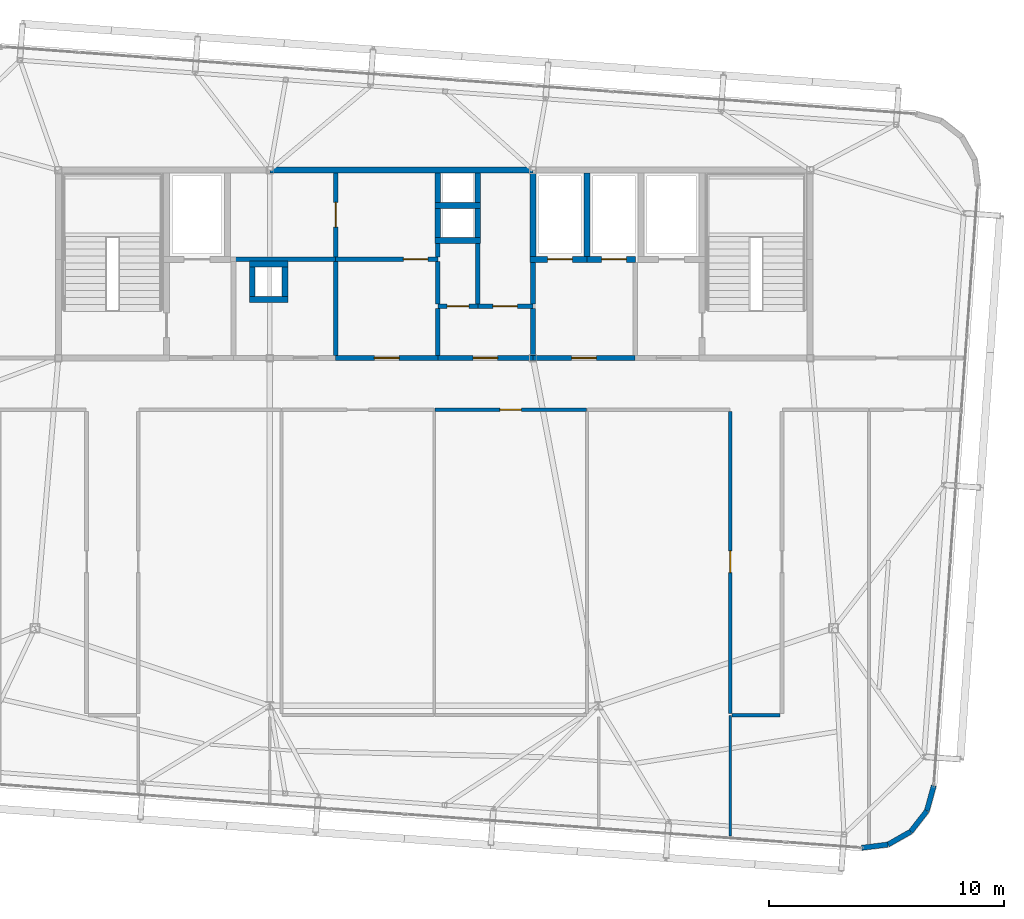
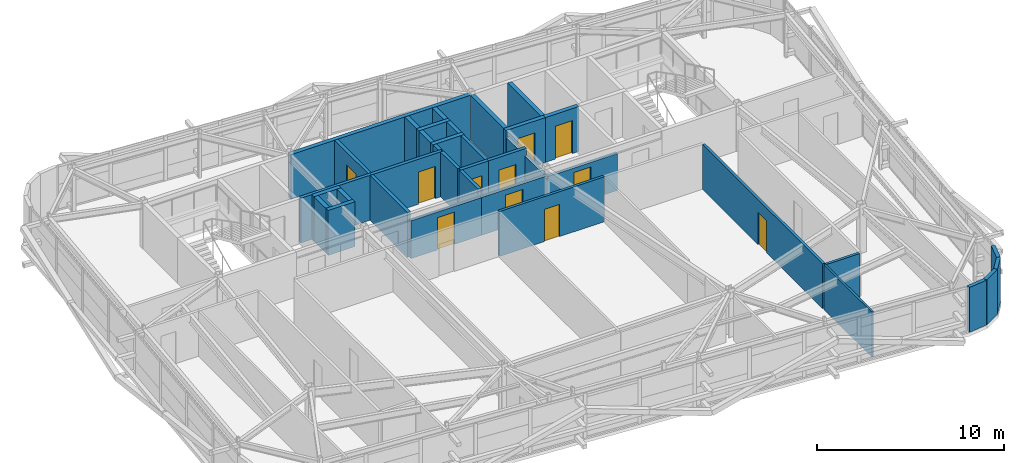
# One storey, part 39 of 42: 38 walls, 11 doors, 11 openings.
"""IFC4 building model written with IfcOpenShell, lengths in metres."""

import ifcopenshell
import ifcopenshell.guid

model = None  # the IFC model being written
_history = None  # IfcOwnerHistory: only IFC2X3 demands one
_inside = {}  # id of a spatial element -> (the spatial element, [elements in it])
_under = {}  # id of a project, library or spatial element -> (it, [spatial elements below it])
_declared = {}  # id of a project -> (the project, [libraries it declares])
_typed = {}  # id of a type object -> (the type object, [elements of that type])
_made_of = {}  # id of a material, layer set ... -> (it, [elements and type objects made of it])


def new_model(schema):
    """Start an empty IFC model of exactly this schema.

    Asked for "IFC4X3", IfcOpenShell would pick the latest addendum, in which some entities
    have other attributes; the version numbers below select the first issue.
    IFC2X3 requires an IfcOwnerHistory on every rooted entity: one is made here for all.
    """
    global model, _history
    if schema == "IFC4X3":
        model = ifcopenshell.file(schema_version=(4, 3, 0, 0))
    else:
        model = ifcopenshell.file(schema=schema)
    _inside.clear()
    _under.clear()
    _declared.clear()
    _typed.clear()
    _made_of.clear()
    _history = None
    if model.schema == "IFC2X3":
        org = make("IfcOrganization", Name="unknown")
        user = make(
            "IfcPersonAndOrganization",
            ThePerson=make("IfcPerson", FamilyName="unknown"),
            TheOrganization=org,
        )
        app = make(
            "IfcApplication",
            ApplicationDeveloper=org,
            Version="unknown",
            ApplicationFullName="unknown",
            ApplicationIdentifier="unknown",
        )
        _history = make(
            "IfcOwnerHistory",
            OwningUser=user,
            OwningApplication=app,
            ChangeAction="ADDED",
            CreationDate=0,
        )
    return model


def make(cls, **values):
    """One entity of the class cls with the attributes given. An attribute that is None is left unset."""
    return model.create_entity(
        cls, **{name: value for name, value in values.items() if value is not None}
    )


def rooted(cls, **values):
    """An entity with a GlobalId (a new one), such as an element, a storey or a relation."""
    return make(cls, GlobalId=ifcopenshell.guid.new(), OwnerHistory=_history, **values)


def si_unit(unit_type, name, prefix=None):
    """IfcSIUnit, for example si_unit("LENGTHUNIT", "METRE", prefix="MILLI")."""
    return make("IfcSIUnit", UnitType=unit_type, Prefix=prefix, Name=name)


def assignment(units):
    """IfcUnitAssignment: the units of a project."""
    return None if units is None else make("IfcUnitAssignment", Units=units)


def point(xyz):
    """IfcCartesianPoint."""
    return None if xyz is None else make("IfcCartesianPoint", Coordinates=xyz)


def direction(xyz):
    """IfcDirection."""
    return None if xyz is None else make("IfcDirection", DirectionRatios=xyz)


def frame(location, z_axis=None, x_axis=None):
    """IfcAxis2Placement3D, a coordinate frame: its origin and axes. An axis left out is left unset."""
    return make(
        "IfcAxis2Placement3D",
        Location=point(location),
        Axis=direction(z_axis),
        RefDirection=direction(x_axis),
    )


def frame_2d(location, x_axis=None):
    """IfcAxis2Placement2D, a coordinate frame in the plane: its origin and x axis."""
    return make(
        "IfcAxis2Placement2D", Location=point(location), RefDirection=direction(x_axis)
    )


def origin():
    """The frame at (0, 0, 0) with its axes left unset."""
    return frame((0.0, 0.0, 0.0))


def place(relative_to, where):
    """IfcLocalPlacement: puts the frame where relative to a parent placement (None: the world)."""
    return make(
        "IfcLocalPlacement", PlacementRelTo=relative_to, RelativePlacement=where
    )


def context(
    kind, dimensions, precision=None, world=None, true_north=None, identifier=None
):
    """IfcGeometricRepresentationContext, for example the 3D "Model" context."""
    return make(
        "IfcGeometricRepresentationContext",
        ContextIdentifier=identifier,
        ContextType=kind,
        CoordinateSpaceDimension=dimensions,
        Precision=precision,
        WorldCoordinateSystem=world,
        TrueNorth=true_north,
    )


def subcontext(parent, identifier, kind, view, scale=None):
    """IfcGeometricRepresentationSubContext, for example "Body" below "Model"."""
    return make(
        "IfcGeometricRepresentationSubContext",
        ContextIdentifier=identifier,
        ContextType=kind,
        ParentContext=parent,
        TargetScale=scale,
        TargetView=view,
    )


def project(units=None, contexts=None):
    """IfcProject with its units and contexts."""
    return rooted(
        "IfcProject",
        Name="project",
        RepresentationContexts=contexts,
        UnitsInContext=assignment(units),
    )


def spatial(cls, under=None, at=None, **own):
    """A site, building, storey or space (cls), placed at a placement, below another one or the project."""
    s = rooted(cls, ObjectPlacement=at, **own)
    if under is not None:
        _under.setdefault(under.id(), (under, []))[1].append(s)
    return s


def profile(cls, at=None, kind="AREA", **sizes):
    """A parametric profile (cls). Its sizes go by their IFC names, for example OverallWidth=200.0."""
    return make(cls, ProfileType=kind, Position=at, **sizes)


def rectangle(**sizes):
    """IfcRectangleProfileDef."""
    return profile("IfcRectangleProfileDef", **sizes)


def extrude(swept, where, along, depth):
    """IfcExtrudedAreaSolid: the profile swept, set in the frame where, extruded along a direction by depth."""
    return make(
        "IfcExtrudedAreaSolid",
        SweptArea=swept,
        Position=where,
        ExtrudedDirection=direction(along),
        Depth=depth,
    )


def shape(context_of_items, identifier, shape_type, items):
    """IfcShapeRepresentation: the items that make up one representation, for example the "Body"."""
    return make(
        "IfcShapeRepresentation",
        ContextOfItems=context_of_items,
        RepresentationIdentifier=identifier,
        RepresentationType=shape_type,
        Items=items,
    )


def source(mapping_origin, context_of_items, identifier, shape_type, items):
    """IfcRepresentationMap: a shape defined once, which mapped items show again and again."""
    return make(
        "IfcRepresentationMap",
        MappingOrigin=mapping_origin,
        MappedRepresentation=shape(context_of_items, identifier, shape_type, items),
    )


def transform(
    local_origin,
    x_axis=None,
    y_axis=None,
    z_axis=None,
    scale=None,
    scale2=None,
    scale3=None,
    uniform=True,
):
    """IfcCartesianTransformationOperator3D, or its non-uniform kind. x_axis, y_axis, z_axis: its Axis1, 2, 3."""
    if uniform:
        return make(
            "IfcCartesianTransformationOperator3D",
            Axis1=direction(x_axis),
            Axis2=direction(y_axis),
            LocalOrigin=point(local_origin),
            Scale=scale,
            Axis3=direction(z_axis),
        )
    return make(
        "IfcCartesianTransformationOperator3DnonUniform",
        Axis1=direction(x_axis),
        Axis2=direction(y_axis),
        LocalOrigin=point(local_origin),
        Scale=scale,
        Axis3=direction(z_axis),
        Scale2=scale2,
        Scale3=scale3,
    )


def mapped(mapping_source, mapping_target):
    """IfcMappedItem: shows the shape of a source again, moved by a transform."""
    return make(
        "IfcMappedItem", MappingSource=mapping_source, MappingTarget=mapping_target
    )


def material(Name=None, Category=None):
    """IfcMaterial."""
    return make("IfcMaterial", Name=Name, Category=Category)


def layer(
    of_material, thickness, ventilated=None, Name=None, Category=None, Priority=None
):
    """IfcMaterialLayer: one layer of a wall or slab, of a material (None: an air gap)."""
    return make(
        "IfcMaterialLayer",
        Material=of_material,
        LayerThickness=thickness,
        IsVentilated=ventilated,
        Name=Name,
        Category=Category,
        Priority=Priority,
    )


def layer_set(layers, Name=None):
    """IfcMaterialLayerSet."""
    return make("IfcMaterialLayerSet", MaterialLayers=layers, LayerSetName=Name)


def made_of(thing, what):
    """Note that an element or type object is made of a material, layer set ...; save() writes the relation."""
    if what is not None:
        _made_of.setdefault(what.id(), (what, []))[1].append(thing)
    return thing


def type_object(cls, material=None, **own):
    """A type object (cls), such as IfcWallType, which elements share."""
    return made_of(rooted(cls, **own), material)


def element(
    cls,
    number,
    at=None,
    inside=None,
    cuts=None,
    type_object=None,
    material=None,
    context=None,
    identifier="Body",
    shape_type=None,
    held_by="IfcProductDefinitionShape",
    body=None,
    shapes=None,
    **own,
):
    """One element of the class cls, such as IfcWall. Its Tag is "e" and its number.

    at: its placement. inside: the storey or other place that contains it. cuts: it is an
    opening in that element (IfcRelVoidsElement). A single representation is given by context,
    identifier, shape_type and body (its items); several are given by shapes. held_by: the class
    of the entity that holds the representations. save() writes the other relations.
    """
    e = rooted(cls, Tag="e%d" % number, ObjectPlacement=at, **own)
    if body is not None:
        shapes = [shape(context, identifier, shape_type, body)]
    if shapes is not None:
        e.Representation = make(held_by, Representations=shapes)
    if inside is not None:
        _inside.setdefault(inside.id(), (inside, []))[1].append(e)
    if cuts is not None:
        rooted(
            "IfcRelVoidsElement", RelatingBuildingElement=cuts, RelatedOpeningElement=e
        )
    if type_object is not None:
        _typed.setdefault(type_object.id(), (type_object, []))[1].append(e)
    return made_of(e, material)


def fill(opening, filler):
    """IfcRelFillsElement: the door or window that sits in an opening."""
    return rooted(
        "IfcRelFillsElement",
        RelatingOpeningElement=opening,
        RelatedBuildingElement=filler,
    )


def aggregate(whole, parts):
    """IfcRelAggregates: a whole, such as a stair, and the parts it consists of."""
    return rooted("IfcRelAggregates", RelatingObject=whole, RelatedObjects=parts)


def save(model, path):
    """Write the relations noted so far, then the file.

    IfcRelAggregates (storeys below a building ...), IfcRelContainedInSpatialStructure (elements
    in a storey), IfcRelDefinesByType, IfcRelAssociatesMaterial and IfcRelDeclares: one each for
    every whole, place, type object, material and project.
    """
    for whole, parts in _under.values():
        aggregate(whole, parts)
    for where, things in _inside.values():
        rooted(
            "IfcRelContainedInSpatialStructure",
            RelatedElements=things,
            RelatingStructure=where,
        )
    for kind, things in _typed.values():
        rooted("IfcRelDefinesByType", RelatedObjects=things, RelatingType=kind)
    for what, things in _made_of.values():
        rooted("IfcRelAssociatesMaterial", RelatedObjects=things, RelatingMaterial=what)
    for by, libraries in _declared.values():
        rooted("IfcRelDeclares", RelatingContext=by, RelatedDefinitions=libraries)
    model.write(path)


model = new_model("IFC4")

# Units and contexts
model_context = context("Model", 3, precision=1e-05, world=origin(), true_north=direction((0.0, 1.0)))
body_context = subcontext(model_context, "Body", "Model", "MODEL_VIEW")
ifc_project = project(units=[si_unit("LENGTHUNIT", "METRE"), si_unit("AREAUNIT", "SQUARE_METRE"), si_unit("VOLUMEUNIT", "CUBIC_METRE"), si_unit("PLANEANGLEUNIT", "RADIAN"), si_unit("MASSUNIT", "GRAM", prefix="KILO")], contexts=[model_context])

# Site, building, storey
site_placement = place(None, origin())
site = spatial("IfcSite", under=ifc_project, at=site_placement, CompositionType="ELEMENT")
building_placement = place(site_placement, origin())
building = spatial("IfcBuilding", under=site, at=building_placement, Name="Taldren Reach Tower", CompositionType="ELEMENT")
storey_placement = place(building_placement, frame((0.0, 0.0, 214.550048828125)))
storey = spatial("IfcBuildingStorey", under=building, at=storey_placement, Name="L65", CompositionType="ELEMENT", Elevation=214.550048828125)

# Walls
ifc_material_1 = material(Name="Pale Champagne Anodised Aluminium Cladding", Category="aluminium")
ifc_layer_1 = layer(ifc_material_1, 0.04, Name="Pale Champagne Anodised Aluminium Cladding", Category="aluminium")
ifc_material_2 = material(Name="Mineral Wool Acoustic Insulation", Category="insulation")
ifc_layer_2 = layer(ifc_material_2, 0.06, Name="Mineral Wool Acoustic Insulation", Category="insulation")
ifc_material_3 = material(Name="Steel Gr 350 (C350L0)", Category="steel")
ifc_layer_3 = layer(ifc_material_3, 0.12, Name="Steel Gr 350 (C350L0)", Category="steel")
ifc_layer_set_1 = layer_set([ifc_layer_1, ifc_layer_2, ifc_layer_3], Name="Pale Champagne Aluminium Cladding and Steel Gr 350 Stud Framing")
wall_type_1 = type_object("IfcWallType", Name="EW-CRN-220", PredefinedType="SOLIDWALL", material=ifc_layer_set_1)
shared_shape_1 = source(origin(), body_context, "Body", "SweptSolid", [
    extrude(rectangle(XDim=1.115966796875, YDim=0.219970703125, at=frame_2d((0.55810546875, 0.0))), origin(), (0.0, 0.0, 1.0), 2.929931640625),
])
for number, where, z_axis, x_axis, name in (
    (1, (53.20068359375, 3.15380859375, 0.0), (0.0, 0.0, 1.0), (0.992438604032, 0.122742076028, 0.0), "Rounded-corner pale-metal facade wall L65-SE1"),
    (2, (55.279052734375, 3.84130859375, 0.0), (0.0, 0.0, 1.0), (0.615015475096, 0.788515038152, 0.0), "Rounded-corner pale-metal facade wall L65-SE3"),
    (3, (55.96533203125, 4.72119140625, 0.0), (0.0, 0.0, 1.0), (0.26624444942, 0.963905541613, 0.0), "Rounded-corner pale-metal facade wall L65-SE4"),
):
    element("IfcWall", number, at=place(storey_placement, frame(where, z_axis=z_axis, x_axis=x_axis)), inside=storey, type_object=wall_type_1, Name=name, PredefinedType="SOLIDWALL", context=body_context, shape_type="MappedRepresentation", body=[
        mapped(shared_shape_1, transform((0.0, 0.0, 0.0), scale=1.0)),
    ])
shared_shape_2 = source(origin(), body_context, "Body", "SweptSolid", [
    extrude(rectangle(XDim=1.1162109375, YDim=0.219970703125, at=frame_2d((0.55810546875, 0.0))), origin(), (0.0, 0.0, 1.0), 2.929931640625),
])
wall_1_placement = place(storey_placement, frame((54.30810546875, 3.290771484375, 0.0), z_axis=(0.0, 0.0, 1.0), x_axis=(0.869893934693, 0.49323882895, 0.0)))
element("IfcWall", 4, at=wall_1_placement, inside=storey, type_object=wall_type_1, Name="Rounded-corner pale-metal facade wall L65-SE2", PredefinedType="SOLIDWALL", context=body_context, shape_type="MappedRepresentation", body=[
    mapped(shared_shape_2, transform((0.0, 0.0, 0.0), scale=1.0)),
])

# Wall, opening, door
ifc_material_4 = material(Name="Concrete S50 (50 MPa)", Category="concrete")
ifc_layer_4 = layer(ifc_material_4, 0.199951171875)
ifc_layer_set_2 = layer_set([ifc_layer_4], Name="Concrete S50 (50 MPa)")
wall_type_2 = type_object("IfcWallType", Name="IW-CORE-200", PredefinedType="SOLIDWALL", material=ifc_layer_set_2)
shared_shape_3 = source(origin(), body_context, "Body", "SweptSolid", [
    extrude(rectangle(XDim=4.35009765625, YDim=0.199951171875, at=frame_2d((2.175048828125, 0.0))), origin(), (0.0, 0.0, 1.0), 2.39697265625),
])
wall_2_placement = place(storey_placement, frame((43.550048828125, 24.0, 0.0), z_axis=(0.0, 0.0, 1.0), x_axis=(-1.0, 0.0, 0.0)))
wall_2 = element("IfcWall", 5, at=wall_2_placement, inside=storey, type_object=wall_type_2, Name="Rear Core Shear Wall W-INT-L65-031", PredefinedType="SOLIDWALL", context=body_context, shape_type="MappedRepresentation", body=[
    mapped(shared_shape_3, transform((0.0, 0.0, 0.0), scale=1.0)),
])
shared_shape_4 = source(origin(), body_context, "Body", "SweptSolid", [
    extrude(rectangle(XDim=1.050048828125, YDim=2.10009765625, at=frame_2d((0.52490234375, 1.050048828125))), frame((0.0, 0.10986328125, 0.0), z_axis=(0.0, -1.0, 0.0), x_axis=(1.0, 0.0, 0.0)), (0.0, 0.0, 1.0), 0.219970703125),
])
opening_1_placement = place(wall_2_placement, frame((1.64990234375, 0.0, 0.0)))
opening_1 = element("IfcOpeningElement", 6, at=opening_1_placement, cuts=wall_2, Name="Opening DF-105", PredefinedType="OPENING", context=body_context, shape_type="MappedRepresentation", body=[
    mapped(shared_shape_4, transform((0.0, 0.0, 0.0), scale=1.0)),
])
ifc_material_5 = material(Name="Fire-Rated Care and Stair Exit Door")
door_type_1 = type_object("IfcDoorType", Name="ID-FIRE-105", OperationType="NOTDEFINED", PredefinedType="DOOR", material=ifc_material_5)
shared_shape_5 = source(origin(), body_context, "Body", "SweptSolid", [
    extrude(rectangle(XDim=1.050048828125, YDim=2.10009765625, at=frame_2d((0.52490234375, 1.050048828125))), frame((0.0, 0.02490234375, 0.0), z_axis=(0.0, -1.0, 0.0), x_axis=(1.0, 0.0, 0.0)), (0.0, 0.0, 1.0), 0.050048828125),
])
door_1_placement = place(opening_1_placement, frame((1.050048828125, 0.0, 0.0), z_axis=(0.0, 0.0, 1.0), x_axis=(-1.0, 0.0, 0.0)))
door_1 = element("IfcDoor", 7, at=door_1_placement, inside=storey, type_object=door_type_1, Name="Interior Door DR-L65-005", OperationType="SINGLE_SWING_LEFT", OverallHeight=2.10009765625, OverallWidth=1.050048828125, PredefinedType="DOOR", context=body_context, shape_type="MappedRepresentation", body=[
    mapped(shared_shape_5, transform((0.0, 0.0, 0.0), scale=1.0)),
])
fill(opening_1, door_1)

# Walls
shared_shape_6 = source(origin(), body_context, "Body", "SweptSolid", [
    extrude(rectangle(XDim=2.0, YDim=0.199951171875, at=frame_2d((1.0, 0.0))), origin(), (0.0, 0.0, 1.0), 2.469970703125),
])
wall_3_placement = place(storey_placement, frame((39.199951171875, 24.10009765625, 0.0), z_axis=(0.0, 0.0, 1.0), x_axis=(0.0, 1.0, 0.0)))
element("IfcWall", 8, at=wall_3_placement, inside=storey, type_object=wall_type_2, Name="Rear Core Shear Wall W-INT-L65-029", PredefinedType="SOLIDWALL", context=body_context, shape_type="MappedRepresentation", body=[
    mapped(shared_shape_6, transform((0.0, 0.0, 0.0), scale=1.0)),
])
ifc_material_6 = material(Name="Fire-Rated Acoustic Plasterboard Stud Wall", Category="gypsum")
ifc_layer_5 = layer(ifc_material_6, 0.159912109375)
ifc_layer_set_3 = layer_set([ifc_layer_5], Name="Fire-Rated Acoustic Plasterboard Stud Wall")
wall_type_3 = type_object("IfcWallType", Name="IW-FIRE-160", PredefinedType="PARTITIONING", material=ifc_layer_set_3)
shared_shape_7 = source(origin(), body_context, "Body", "SweptSolid", [
    extrude(rectangle(XDim=2.0400390625, YDim=0.159912109375, at=frame_2d((1.02001953125, 0.0))), origin(), (0.0, 0.0, 1.0), 2.929931640625),
])
wall_4_placement = place(storey_placement, frame((49.719970703125, 8.800048828125, 0.0), z_axis=(0.0, 0.0, 1.0), x_axis=(-1.0, 0.0, 0.0)))
element("IfcWall", 9, at=wall_4_placement, inside=storey, type_object=wall_type_3, Name="Interior Partition Wall W-INT-L65-059", PredefinedType="PARTITIONING", context=body_context, shape_type="MappedRepresentation", body=[
    mapped(shared_shape_7, transform((0.0, 0.0, 0.0), scale=1.0)),
])

# Wall, opening, door
shared_shape_8 = source(origin(), body_context, "Body", "SweptSolid", [
    extrude(rectangle(XDim=4.349853515625, YDim=0.199951171875, at=frame_2d((2.1748046875, 0.0))), origin(), (0.0, 0.0, 1.0), 2.469970703125),
])
wall_5_placement = place(storey_placement, frame((35.14990234375, 24.0, 0.0), z_axis=(0.0, 0.0, 1.0), x_axis=(-1.0, 0.0, 0.0)))
wall_5 = element("IfcWall", 10, at=wall_5_placement, inside=storey, type_object=wall_type_2, Name="Rear Core Shear Wall W-INT-L65-039", PredefinedType="SOLIDWALL", context=body_context, shape_type="MappedRepresentation", body=[
    mapped(shared_shape_8, transform((0.0, 0.0, 0.0), scale=1.0)),
])
opening_2_placement = place(wall_5_placement, frame((1.64990234375, 0.0, 0.0)))
opening_2 = element("IfcOpeningElement", 11, at=opening_2_placement, cuts=wall_5, Name="Opening DF-105", PredefinedType="OPENING", context=body_context, shape_type="MappedRepresentation", body=[
    mapped(shared_shape_4, transform((0.0, 0.0, 0.0), scale=1.0)),
])
door_2_placement = place(opening_2_placement, frame((1.050048828125, 0.0, 0.0), z_axis=(0.0, 0.0, 1.0), x_axis=(-1.0, 0.0, 0.0)))
door_2 = element("IfcDoor", 12, at=door_2_placement, inside=storey, type_object=door_type_1, Name="Interior Door DR-L65-009", OperationType="SINGLE_SWING_LEFT", OverallHeight=2.10009765625, OverallWidth=1.050048828125, PredefinedType="DOOR", context=body_context, shape_type="MappedRepresentation", body=[
    mapped(shared_shape_5, transform((0.0, 0.0, 0.0), scale=1.0)),
])
fill(opening_2, door_2)

# Walls
shared_shape_9 = source(origin(), body_context, "Body", "SweptSolid", [
    extrude(rectangle(XDim=4.0, YDim=0.199951171875, at=frame_2d((2.0, 0.0))), origin(), (0.0, 0.0, 1.0), 2.929931640625),
])
wall_6_placement = place(storey_placement, frame((30.800048828125, 28.10009765625, 0.0), z_axis=(0.0, 0.0, 1.0), x_axis=(0.0, -1.0, 0.0)))
element("IfcWall", 13, at=wall_6_placement, inside=storey, type_object=wall_type_2, Name="Rear Core Shear Wall W-INT-L65-033", PredefinedType="SOLIDWALL", context=body_context, shape_type="MappedRepresentation", body=[
    mapped(shared_shape_9, transform((0.0, 0.0, 0.0), scale=1.0)),
])
shared_shape_10 = source(origin(), body_context, "Body", "SweptSolid", [
    extrude(rectangle(XDim=2.0, YDim=0.199951171875, at=frame_2d((1.0, 0.0))), origin(), (0.0, 0.0, 1.0), 2.929931640625),
])
wall_7_placement = place(storey_placement, frame((35.14990234375, 26.10009765625, 0.0), z_axis=(0.0, 0.0, 1.0), x_axis=(0.0, -1.0, 0.0)))
element("IfcWall", 14, at=wall_7_placement, inside=storey, type_object=wall_type_2, Name="Rear Core Shear Wall W-INT-L65-037", PredefinedType="SOLIDWALL", context=body_context, shape_type="MappedRepresentation", body=[
    mapped(shared_shape_10, transform((0.0, 0.0, 0.0), scale=1.0)),
])
shared_shape_11 = source(origin(), body_context, "Body", "SweptSolid", [
    extrude(rectangle(XDim=4.35009765625, YDim=0.199951171875, at=frame_2d((2.175048828125, 0.0))), origin(), (0.0, 0.0, 1.0), 2.929931640625),
])
wall_8_placement = place(storey_placement, frame((26.449951171875, 28.199951171875, 0.0), z_axis=(0.0, 0.0, 1.0), x_axis=(1.0, 0.0, 0.0)))
element("IfcWall", 15, at=wall_8_placement, inside=storey, type_object=wall_type_2, Name="Rear Core Shear Wall W-INT-L65-032", PredefinedType="SOLIDWALL", context=body_context, shape_type="MappedRepresentation", body=[
    mapped(shared_shape_11, transform((0.0, 0.0, 0.0), scale=1.0)),
])
ifc_material_7 = material(Name="Concrete S65 (65 MPa)", Category="concrete")
ifc_layer_6 = layer(ifc_material_7, 0.25)
ifc_layer_set_4 = layer_set([ifc_layer_6], Name="Concrete S65 (65 MPa)")
wall_type_4 = type_object("IfcWallType", Name="IW-CORE-250", PredefinedType="SHEAR", material=ifc_layer_set_4)
shared_shape_12 = source(origin(), body_context, "Body", "SweptSolid", [
    extrude(rectangle(XDim=11.199951171875, YDim=0.25, at=frame_2d((5.60009765625, 0.0))), origin(), (0.0, 0.0, 1.0), 2.929931640625),
])
wall_9_placement = place(storey_placement, frame((28.0, 32.0, 0.0), z_axis=(0.0, 0.0, 1.0), x_axis=(1.0, 0.0, 0.0)))
element("IfcWall", 16, at=wall_9_placement, inside=storey, type_object=wall_type_4, Name="Rear Core Shear Wall W-CORE-L65-NORTH2", PredefinedType="SHEAR", context=body_context, shape_type="MappedRepresentation", body=[
    mapped(shared_shape_12, transform((0.0, 0.0, 0.0), scale=1.0)),
])
shared_shape_13 = source(origin(), body_context, "Body", "SweptSolid", [
    extrude(rectangle(XDim=3.550048828125, YDim=0.25, at=frame_2d((1.77490234375, 0.0))), origin(), (0.0, 0.0, 1.0), 2.929931640625),
])
for number, where, z_axis, x_axis, name in (
    (17, (41.5, 28.324951171875, 0.0), (0.0, 0.0, 1.0), (0.0, 1.0, 0.0), "Rear Core Shear Wall W-INT-L65-025"),
    (18, (39.199951171875, 31.875, 0.0), (0.0, 0.0, 1.0), (0.0, -1.0, 0.0), "Rear Core Shear Wall W-INT-L65-027"),
):
    element("IfcWall", number, at=place(storey_placement, frame(where, z_axis=z_axis, x_axis=x_axis)), inside=storey, type_object=wall_type_4, Name=name, PredefinedType="SHEAR", context=body_context, shape_type="MappedRepresentation", body=[
        mapped(shared_shape_13, transform((0.0, 0.0, 0.0), scale=1.0)),
    ])
shared_shape_14 = source(origin(), body_context, "Body", "SweptSolid", [
    extrude(rectangle(XDim=1.9501953125, YDim=0.25, at=frame_2d((0.97509765625, 0.0))), origin(), (0.0, 0.0, 1.0), 2.929931640625),
])
for number, where, z_axis, x_axis, name in (
    (19, (35.02490234375, 30.5, 0.0), (0.0, 0.0, 1.0), (1.0, 0.0, 0.0), "Rear Core Shear Wall W-INT-L65-015"),
    (20, (35.02490234375, 29.0, 0.0), (0.0, 0.0, 1.0), (1.0, 0.0, 0.0), "Rear Core Shear Wall W-INT-L65-019"),
):
    element("IfcWall", number, at=place(storey_placement, frame(where, z_axis=z_axis, x_axis=x_axis)), inside=storey, type_object=wall_type_4, Name=name, PredefinedType="SHEAR", context=body_context, shape_type="MappedRepresentation", body=[
        mapped(shared_shape_14, transform((0.0, 0.0, 0.0), scale=1.0)),
    ])
shared_shape_15 = source(origin(), body_context, "Body", "SweptSolid", [
    extrude(rectangle(XDim=1.25, YDim=0.25, at=frame_2d((0.625, 0.0))), origin(), (0.0, 0.0, 1.0), 2.929931640625),
])
for number, where, z_axis, x_axis, name in (
    (21, (35.14990234375, 31.875, 0.0), (0.0, 0.0, 1.0), (0.0, -1.0, 0.0), "Rear Core Shear Wall W-INT-L65-016"),
    (22, (36.85009765625, 30.625, 0.0), (0.0, 0.0, 1.0), (0.0, 1.0, 0.0), "Rear Core Shear Wall W-INT-L65-017"),
    (23, (35.14990234375, 30.375, 0.0), (0.0, 0.0, 1.0), (0.0, -1.0, 0.0), "Rear Core Shear Wall W-INT-L65-018"),
    (24, (36.85009765625, 29.125, 0.0), (0.0, 0.0, 1.0), (0.0, 1.0, 0.0), "Rear Core Shear Wall W-INT-L65-020"),
    (25, (28.64990234375, 26.625, 0.0), (0.0, 0.0, 1.0), (0.0, 1.0, 0.0), "Rear Core Shear Wall W-INT-L65-021"),
    (26, (27.25, 27.875, 0.0), (0.0, 0.0, 1.0), (0.0, -1.0, 0.0), "Rear Core Shear Wall W-INT-L65-022"),
):
    element("IfcWall", number, at=place(storey_placement, frame(where, z_axis=z_axis, x_axis=x_axis)), inside=storey, type_object=wall_type_4, Name=name, PredefinedType="SHEAR", context=body_context, shape_type="MappedRepresentation", body=[
        mapped(shared_shape_15, transform((0.0, 0.0, 0.0), scale=1.0)),
    ])
shared_shape_16 = source(origin(), body_context, "Body", "SweptSolid", [
    extrude(rectangle(XDim=1.64990234375, YDim=0.25, at=frame_2d((0.824951171875, 0.0))), origin(), (0.0, 0.0, 1.0), 2.929931640625),
])
for number, where, z_axis, x_axis, name in (
    (27, (28.77490234375, 28.0, 0.0), (0.0, 0.0, 1.0), (-1.0, 0.0, 0.0), "Rear Core Shear Wall W-INT-L65-023"),
    (28, (27.125, 26.5, 0.0), (0.0, 0.0, 1.0), (1.0, 0.0, 0.0), "Rear Core Shear Wall W-INT-L65-024"),
):
    element("IfcWall", number, at=place(storey_placement, frame(where, z_axis=z_axis, x_axis=x_axis)), inside=storey, type_object=wall_type_4, Name=name, PredefinedType="SHEAR", context=body_context, shape_type="MappedRepresentation", body=[
        mapped(shared_shape_16, transform((0.0, 0.0, 0.0), scale=1.0)),
    ])

# Wall, opening, door
shared_shape_17 = source(origin(), body_context, "Body", "SweptSolid", [
    extrude(rectangle(XDim=2.425048828125, YDim=0.25, at=frame_2d((1.21240234375, 0.0))), origin(), (0.0, 0.0, 1.0), 2.929931640625),
])
wall_10_placement = place(storey_placement, frame((39.074951171875, 28.199951171875, 0.0), z_axis=(0.0, 0.0, 1.0), x_axis=(1.0, 0.0, 0.0)))
wall_10 = element("IfcWall", 29, at=wall_10_placement, inside=storey, type_object=wall_type_4, Name="Rear Core Shear Wall W-INT-L65-026", PredefinedType="SHEAR", context=body_context, shape_type="MappedRepresentation", body=[
    mapped(shared_shape_17, transform((0.0, 0.0, 0.0), scale=1.0)),
])
shared_shape_18 = source(origin(), body_context, "Body", "SweptSolid", [
    extrude(rectangle(XDim=1.050048828125, YDim=2.14990234375, at=frame_2d((0.52490234375, 1.074951171875))), frame((0.0, 0.135009765625, 0.0), z_axis=(0.0, -1.0, 0.0), x_axis=(1.0, 0.0, 0.0)), (0.0, 0.0, 1.0), 0.27001953125),
])
opening_3_placement = place(wall_10_placement, frame((0.75, 0.0, 0.0)))
opening_3 = element("IfcOpeningElement", 30, at=opening_3_placement, cuts=wall_10, Name="Opening LD-PH1", PredefinedType="OPENING", context=body_context, shape_type="MappedRepresentation", body=[
    mapped(shared_shape_18, transform((0.0, 0.0, 0.0), scale=1.0)),
])
ifc_material_8 = material(Name="Stainless Steel Gr 316 Passenger Lift Landing Door", Category="steel")
door_type_2 = type_object("IfcDoorType", Name="LD-PAS-105", OperationType="SLIDING_TO_LEFT", PredefinedType="DOOR", material=ifc_material_8)
shared_shape_19 = source(origin(), body_context, "Body", "SweptSolid", [
    extrude(rectangle(XDim=1.050048828125, YDim=2.14990234375, at=frame_2d((0.52490234375, 1.074951171875))), frame((0.0, 0.02490234375, 0.0), z_axis=(0.0, -1.0, 0.0), x_axis=(1.0, 0.0, 0.0)), (0.0, 0.0, 1.0), 0.050048828125),
])
door_3_placement = place(opening_3_placement, origin())
door_3 = element("IfcDoor", 31, at=door_3_placement, inside=storey, type_object=door_type_2, Name="Lift Landing Door LD-PH1-L65", OperationType="SLIDING_TO_LEFT", OverallHeight=2.14990234375, OverallWidth=1.050048828125, PredefinedType="DOOR", context=body_context, shape_type="MappedRepresentation", body=[
    mapped(shared_shape_19, transform((0.0, 0.0, 0.0), scale=1.0)),
])
fill(opening_3, door_3)

shared_shape_20 = source(origin(), body_context, "Body", "SweptSolid", [
    extrude(rectangle(XDim=2.070068359375, YDim=0.25, at=frame_2d((1.03515625, 0.0))), origin(), (0.0, 0.0, 1.0), 2.929931640625),
])
wall_11_placement = place(storey_placement, frame((41.5, 28.199951171875, 0.0), z_axis=(0.0, 0.0, 1.0), x_axis=(1.0, 0.0, 0.0)))
wall_11 = element("IfcWall", 32, at=wall_11_placement, inside=storey, type_object=wall_type_4, Name="Rear Core Shear Wall W-INT-L65-028", PredefinedType="SHEAR", context=body_context, shape_type="MappedRepresentation", body=[
    mapped(shared_shape_20, transform((0.0, 0.0, 0.0), scale=1.0)),
])
opening_4_placement = place(wall_11_placement, frame((0.625, 0.0, 0.0)))
opening_4 = element("IfcOpeningElement", 33, at=opening_4_placement, cuts=wall_11, Name="Opening LD-PH2", PredefinedType="OPENING", context=body_context, shape_type="MappedRepresentation", body=[
    mapped(shared_shape_18, transform((0.0, 0.0, 0.0), scale=1.0)),
])
door_4_placement = place(opening_4_placement, origin())
door_4 = element("IfcDoor", 34, at=door_4_placement, inside=storey, type_object=door_type_2, Name="Lift Landing Door LD-PH2-L65", OperationType="SLIDING_TO_LEFT", OverallHeight=2.14990234375, OverallWidth=1.050048828125, PredefinedType="DOOR", context=body_context, shape_type="MappedRepresentation", body=[
    mapped(shared_shape_19, transform((0.0, 0.0, 0.0), scale=1.0)),
])
fill(opening_4, door_4)

shared_shape_21 = source(origin(), body_context, "Body", "SweptSolid", [
    extrude(rectangle(XDim=4.050048828125, YDim=0.199951171875, at=frame_2d((2.02490234375, 0.0))), origin(), (0.0, 0.0, 1.0), 2.469970703125),
])
wall_12_placement = place(storey_placement, frame((39.199951171875, 24.0, 0.0), z_axis=(0.0, 0.0, 1.0), x_axis=(-1.0, 0.0, 0.0)))
wall_12 = element("IfcWall", 35, at=wall_12_placement, inside=storey, type_object=wall_type_2, Name="Rear Core Shear Wall W-INT-L65-043", PredefinedType="SOLIDWALL", context=body_context, shape_type="MappedRepresentation", body=[
    mapped(shared_shape_21, transform((0.0, 0.0, 0.0), scale=1.0)),
])
opening_5_placement = place(wall_12_placement, frame((1.5, 0.0, 0.0)))
opening_5 = element("IfcOpeningElement", 36, at=opening_5_placement, cuts=wall_12, Name="Opening DF-105", PredefinedType="OPENING", context=body_context, shape_type="MappedRepresentation", body=[
    mapped(shared_shape_4, transform((0.0, 0.0, 0.0), scale=1.0)),
])
door_5_placement = place(opening_5_placement, frame((1.050048828125, 0.0, 0.0), z_axis=(0.0, 0.0, 1.0), x_axis=(-1.0, 0.0, 0.0)))
door_5 = element("IfcDoor", 37, at=door_5_placement, inside=storey, type_object=door_type_1, Name="Interior Door DR-L65-012", OperationType="SINGLE_SWING_RIGHT", OverallHeight=2.10009765625, OverallWidth=1.050048828125, PredefinedType="DOOR", context=body_context, shape_type="MappedRepresentation", body=[
    mapped(shared_shape_5, transform((0.0, 0.0, 0.0), scale=1.0)),
])
fill(opening_5, door_5)

shared_shape_22 = source(origin(), body_context, "Body", "SweptSolid", [
    extrude(rectangle(XDim=12.840087890625, YDim=0.159912109375, at=frame_2d((6.419921875, 0.0))), origin(), (0.0, 0.0, 1.0), 2.929931640625),
])
wall_13_placement = place(storey_placement, frame((47.60009765625, 8.8798828125, 0.0), z_axis=(0.0, 0.0, 1.0), x_axis=(0.0, 1.0, 0.0)))
wall_13 = element("IfcWall", 38, at=wall_13_placement, inside=storey, type_object=wall_type_3, Name="Interior Partition Wall W-INT-L65-055", PredefinedType="PARTITIONING", context=body_context, shape_type="MappedRepresentation", body=[
    mapped(shared_shape_22, transform((0.0, 0.0, 0.0), scale=1.0)),
])
shared_shape_23 = source(origin(), body_context, "Body", "SweptSolid", [
    extrude(rectangle(XDim=0.919921875, YDim=2.10009765625, at=frame_2d((0.4599609375, 1.050048828125))), frame((0.0, 0.08984375, 0.0), z_axis=(0.0, -1.0, 0.0), x_axis=(1.0, 0.0, 0.0)), (0.0, 0.0, 1.0), 0.179931640625),
])
opening_6_placement = place(wall_13_placement, frame((5.989990234375, 0.0, 0.0)))
opening_6 = element("IfcOpeningElement", 39, at=opening_6_placement, cuts=wall_13, Name="Opening DI-092", PredefinedType="OPENING", context=body_context, shape_type="MappedRepresentation", body=[
    mapped(shared_shape_23, transform((0.0, 0.0, 0.0), scale=1.0)),
])
ifc_material_9 = material(Name="Solid-Core Timber Suite Door", Category="wood")
door_type_3 = type_object("IfcDoorType", Name="ID-INT-092", OperationType="NOTDEFINED", PredefinedType="DOOR", material=ifc_material_9)
shared_shape_24 = source(origin(), body_context, "Body", "SweptSolid", [
    extrude(rectangle(XDim=0.919921875, YDim=2.10009765625, at=frame_2d((0.4599609375, 1.050048828125))), frame((0.0, 0.02490234375, 0.0), z_axis=(0.0, -1.0, 0.0), x_axis=(1.0, 0.0, 0.0)), (0.0, 0.0, 1.0), 0.050048828125),
])
door_6_placement = place(opening_6_placement, origin())
door_6 = element("IfcDoor", 40, at=door_6_placement, inside=storey, type_object=door_type_3, Name="Interior Door DR-L65-020", OperationType="SINGLE_SWING_LEFT", OverallHeight=2.10009765625, OverallWidth=0.919921875, PredefinedType="DOOR", context=body_context, shape_type="MappedRepresentation", body=[
    mapped(shared_shape_24, transform((0.0, 0.0, 0.0), scale=1.0)),
])
fill(opening_6, door_6)

# Wall
shared_shape_25 = source(origin(), body_context, "Body", "SweptSolid", [
    extrude(rectangle(XDim=1.77490234375, YDim=0.199951171875, at=frame_2d((0.887451171875, 0.0))), origin(), (0.0, 0.0, 1.0), 2.469970703125),
])
wall_14_placement = place(storey_placement, frame((39.199951171875, 26.300048828125, 0.0), z_axis=(0.0, 0.0, 1.0), x_axis=(0.0, 1.0, 0.0)))
element("IfcWall", 41, at=wall_14_placement, inside=storey, type_object=wall_type_2, Name="Rear Core Shear Wall W-INT-L65-030", PredefinedType="SOLIDWALL", context=body_context, shape_type="MappedRepresentation", body=[
    mapped(shared_shape_25, transform((0.0, 0.0, 0.0), scale=1.0)),
])

# Wall, opening, door
shared_shape_26 = source(origin(), body_context, "Body", "SweptSolid", [
    extrude(rectangle(XDim=3.574951171875, YDim=0.199951171875, at=frame_2d((1.78759765625, 0.0))), origin(), (0.0, 0.0, 1.0), 2.929931640625),
])
wall_15_placement = place(storey_placement, frame((30.800048828125, 31.875, 0.0), z_axis=(0.0, 0.0, 1.0), x_axis=(0.0, -1.0, 0.0)))
wall_15 = element("IfcWall", 42, at=wall_15_placement, inside=storey, type_object=wall_type_2, Name="Rear Core Shear Wall W-INT-L65-035", PredefinedType="SOLIDWALL", context=body_context, shape_type="MappedRepresentation", body=[
    mapped(shared_shape_26, transform((0.0, 0.0, 0.0), scale=1.0)),
])
opening_7_placement = place(wall_15_placement, frame((1.25, 0.0, 0.0)))
opening_7 = element("IfcOpeningElement", 43, at=opening_7_placement, cuts=wall_15, Name="Opening DF-105", PredefinedType="OPENING", context=body_context, shape_type="MappedRepresentation", body=[
    mapped(shared_shape_4, transform((0.0, 0.0, 0.0), scale=1.0)),
])
door_7_placement = place(opening_7_placement, origin())
door_7 = element("IfcDoor", 44, at=door_7_placement, inside=storey, type_object=door_type_1, Name="Interior Door DR-L65-007", OperationType="SINGLE_SWING_RIGHT", OverallHeight=2.10009765625, OverallWidth=1.050048828125, PredefinedType="DOOR", context=body_context, shape_type="MappedRepresentation", body=[
    mapped(shared_shape_5, transform((0.0, 0.0, 0.0), scale=1.0)),
])
fill(opening_7, door_7)

shared_shape_27 = source(origin(), body_context, "Body", "SweptSolid", [
    extrude(rectangle(XDim=4.349853515625, YDim=0.199951171875, at=frame_2d((2.1748046875, 0.0))), origin(), (0.0, 0.0, 1.0), 2.929931640625),
])
wall_16_placement = place(storey_placement, frame((30.800048828125, 28.199951171875, 0.0), z_axis=(0.0, 0.0, 1.0), x_axis=(1.0, 0.0, 0.0)))
wall_16 = element("IfcWall", 45, at=wall_16_placement, inside=storey, type_object=wall_type_2, Name="Rear Core Shear Wall W-INT-L65-036", PredefinedType="SOLIDWALL", context=body_context, shape_type="MappedRepresentation", body=[
    mapped(shared_shape_27, transform((0.0, 0.0, 0.0), scale=1.0)),
])
opening_8_placement = place(wall_16_placement, frame((2.8798828125, 0.0, 0.0)))
opening_8 = element("IfcOpeningElement", 46, at=opening_8_placement, cuts=wall_16, Name="Opening DF-105", PredefinedType="OPENING", context=body_context, shape_type="MappedRepresentation", body=[
    mapped(shared_shape_4, transform((0.0, 0.0, 0.0), scale=1.0)),
])
door_8_placement = place(opening_8_placement, origin())
door_8 = element("IfcDoor", 47, at=door_8_placement, inside=storey, type_object=door_type_1, Name="Interior Door DR-L65-008", OperationType="SINGLE_SWING_RIGHT", OverallHeight=2.10009765625, OverallWidth=1.050048828125, PredefinedType="DOOR", context=body_context, shape_type="MappedRepresentation", body=[
    mapped(shared_shape_5, transform((0.0, 0.0, 0.0), scale=1.0)),
])
fill(opening_8, door_8)

# Walls
shared_shape_28 = source(origin(), body_context, "Body", "SweptSolid", [
    extrude(rectangle(XDim=1.800048828125, YDim=0.199951171875, at=frame_2d((0.89990234375, 0.0))), origin(), (0.0, 0.0, 1.0), 2.929931640625),
])
wall_17_placement = place(storey_placement, frame((35.14990234375, 28.10009765625, 0.0), z_axis=(0.0, 0.0, 1.0), x_axis=(0.0, -1.0, 0.0)))
element("IfcWall", 48, at=wall_17_placement, inside=storey, type_object=wall_type_2, Name="Rear Core Shear Wall W-INT-L65-038", PredefinedType="SOLIDWALL", context=body_context, shape_type="MappedRepresentation", body=[
    mapped(shared_shape_28, transform((0.0, 0.0, 0.0), scale=1.0)),
])
shared_shape_29 = source(origin(), body_context, "Body", "SweptSolid", [
    extrude(rectangle(XDim=0.574951171875, YDim=0.199951171875, at=frame_2d((0.28759765625, 0.0))), origin(), (0.0, 0.0, 1.0), 2.929931640625),
])
wall_18_placement = place(storey_placement, frame((35.14990234375, 28.875, 0.0), z_axis=(0.0, 0.0, 1.0), x_axis=(0.0, -1.0, 0.0)))
element("IfcWall", 49, at=wall_18_placement, inside=storey, type_object=wall_type_2, Name="Rear Core Shear Wall W-INT-L65-040", PredefinedType="SOLIDWALL", context=body_context, shape_type="MappedRepresentation", body=[
    mapped(shared_shape_29, transform((0.0, 0.0, 0.0), scale=1.0)),
])

# Wall, opening, door
shared_shape_30 = source(origin(), body_context, "Body", "SweptSolid", [
    extrude(rectangle(XDim=1.72021484375, YDim=0.199951171875, at=frame_2d((0.860107421875, 0.0))), origin(), (0.0, 0.0, 1.0), 2.929931640625),
])
wall_19_placement = place(storey_placement, frame((35.14990234375, 26.199951171875, 0.0), z_axis=(0.0, 0.0, 1.0), x_axis=(1.0, 0.0, 0.0)))
wall_19 = element("IfcWall", 50, at=wall_19_placement, inside=storey, type_object=wall_type_2, Name="Rear Core Shear Wall W-INT-L65-041", PredefinedType="SOLIDWALL", context=body_context, shape_type="MappedRepresentation", body=[
    mapped(shared_shape_30, transform((0.0, 0.0, 0.0), scale=1.0)),
])
shared_shape_31 = source(origin(), body_context, "Body", "SweptSolid", [
    extrude(rectangle(XDim=0.919921875, YDim=2.10009765625, at=frame_2d((0.4599609375, 1.050048828125))), frame((0.0, 0.10986328125, 0.0), z_axis=(0.0, -1.0, 0.0), x_axis=(1.0, 0.0, 0.0)), (0.0, 0.0, 1.0), 0.219970703125),
])
opening_9_placement = place(wall_19_placement, frame((0.39990234375, 0.0, 0.0)))
opening_9 = element("IfcOpeningElement", 51, at=opening_9_placement, cuts=wall_19, Name="Opening DF-092", PredefinedType="OPENING", context=body_context, shape_type="MappedRepresentation", body=[
    mapped(shared_shape_31, transform((0.0, 0.0, 0.0), scale=1.0)),
])
ifc_material_10 = material(Name="Fire-Rated Apartment Entrance Door")
door_type_4 = type_object("IfcDoorType", Name="ID-FIRE-092", OperationType="NOTDEFINED", PredefinedType="DOOR", material=ifc_material_10)
door_9_placement = place(opening_9_placement, origin())
door_9 = element("IfcDoor", 52, at=door_9_placement, inside=storey, type_object=door_type_4, Name="Interior Door DR-L65-010", OperationType="SINGLE_SWING_LEFT", OverallHeight=2.10009765625, OverallWidth=0.919921875, PredefinedType="DOOR", context=body_context, shape_type="MappedRepresentation", body=[
    mapped(shared_shape_24, transform((0.0, 0.0, 0.0), scale=1.0)),
])
fill(opening_9, door_9)

shared_shape_32 = source(origin(), body_context, "Body", "SweptSolid", [
    extrude(rectangle(XDim=2.369873046875, YDim=0.199951171875, at=frame_2d((1.18505859375, 0.0))), origin(), (0.0, 0.0, 1.0), 2.929931640625),
])
wall_20_placement = place(storey_placement, frame((36.830078125, 26.199951171875, 0.0), z_axis=(0.0, 0.0, 1.0), x_axis=(1.0, 0.0, 0.0)))
wall_20 = element("IfcWall", 53, at=wall_20_placement, inside=storey, type_object=wall_type_2, Name="Rear Core Shear Wall W-INT-L65-042", PredefinedType="SOLIDWALL", context=body_context, shape_type="MappedRepresentation", body=[
    mapped(shared_shape_32, transform((0.0, 0.0, 0.0), scale=1.0)),
])
opening_10_placement = place(wall_20_placement, frame((0.659912109375, 0.0, 0.0)))
opening_10 = element("IfcOpeningElement", 54, at=opening_10_placement, cuts=wall_20, Name="Opening DF-105", PredefinedType="OPENING", context=body_context, shape_type="MappedRepresentation", body=[
    mapped(shared_shape_4, transform((0.0, 0.0, 0.0), scale=1.0)),
])
door_10_placement = place(opening_10_placement, origin())
door_10 = element("IfcDoor", 55, at=door_10_placement, inside=storey, type_object=door_type_1, Name="Interior Door DR-L65-011", OperationType="SINGLE_SWING_RIGHT", OverallHeight=2.10009765625, OverallWidth=1.050048828125, PredefinedType="DOOR", context=body_context, shape_type="MappedRepresentation", body=[
    mapped(shared_shape_5, transform((0.0, 0.0, 0.0), scale=1.0)),
])
fill(opening_10, door_10)

# Wall
shared_shape_33 = source(origin(), body_context, "Body", "SweptSolid", [
    extrude(rectangle(XDim=2.574951171875, YDim=0.199951171875, at=frame_2d((1.28759765625, 0.0))), origin(), (0.0, 0.0, 1.0), 2.929931640625),
])
wall_21_placement = place(storey_placement, frame((36.85009765625, 28.875, 0.0), z_axis=(0.0, 0.0, 1.0), x_axis=(0.0, -1.0, 0.0)))
element("IfcWall", 56, at=wall_21_placement, inside=storey, type_object=wall_type_2, Name="Rear Core Shear Wall W-INT-L65-044", PredefinedType="SOLIDWALL", context=body_context, shape_type="MappedRepresentation", body=[
    mapped(shared_shape_33, transform((0.0, 0.0, 0.0), scale=1.0)),
])

# Wall, opening, door
shared_shape_34 = source(origin(), body_context, "Body", "SweptSolid", [
    extrude(rectangle(XDim=6.45947265625, YDim=0.159912109375, at=frame_2d((3.229736328125, 0.0))), origin(), (0.0, 0.0, 1.0), 2.929931640625),
])
wall_22_placement = place(storey_placement, frame((41.479736328125, 21.800048828125, 0.0), z_axis=(0.0, 0.0, 1.0), x_axis=(-1.0, 0.0, 0.0)))
wall_22 = element("IfcWall", 57, at=wall_22_placement, inside=storey, type_object=wall_type_3, Name="Interior Partition Wall W-INT-L65-054", PredefinedType="PARTITIONING", context=body_context, shape_type="MappedRepresentation", body=[
    mapped(shared_shape_34, transform((0.0, 0.0, 0.0), scale=1.0)),
])
opening_11_placement = place(wall_22_placement, frame((2.769775390625, 0.0, 0.0)))
opening_11 = element("IfcOpeningElement", 58, at=opening_11_placement, cuts=wall_22, Name="Opening DI-092", PredefinedType="OPENING", context=body_context, shape_type="MappedRepresentation", body=[
    mapped(shared_shape_23, transform((0.0, 0.0, 0.0), scale=1.0)),
])
door_11_placement = place(opening_11_placement, origin())
door_11 = element("IfcDoor", 59, at=door_11_placement, inside=storey, type_object=door_type_3, Name="Interior Door DR-L65-019", OperationType="SINGLE_SWING_RIGHT", OverallHeight=2.10009765625, OverallWidth=0.919921875, PredefinedType="DOOR", context=body_context, shape_type="MappedRepresentation", body=[
    mapped(shared_shape_24, transform((0.0, 0.0, 0.0), scale=1.0)),
])
fill(opening_11, door_11)

# Wall
ifc_material_11 = material(Name="Insulated Residential Stud Partition", Category="gypsum")
ifc_layer_7 = layer(ifc_material_11, 0.1201171875)
ifc_layer_set_5 = layer_set([ifc_layer_7], Name="Insulated Residential Stud Partition")
wall_type_5 = type_object("IfcWallType", Name="IW-PART-120", PredefinedType="PARTITIONING", material=ifc_layer_set_5)
shared_shape_35 = source(origin(), body_context, "Body", "SweptSolid", [
    extrude(rectangle(XDim=5.118408203125, YDim=0.1201171875, at=frame_2d((2.55908203125, 0.0))), origin(), (0.0, 0.0, 1.0), 2.929931640625),
])
wall_23_placement = place(storey_placement, frame((47.60009765625, 8.77978515625, 0.0), z_axis=(0.0, 0.0, 1.0), x_axis=(0.0, -1.0, 0.0)))
element("IfcWall", 60, at=wall_23_placement, inside=storey, type_object=wall_type_5, Name="Interior Partition Wall W-INT-L65-070", PredefinedType="PARTITIONING", context=body_context, shape_type="MappedRepresentation", body=[
    mapped(shared_shape_35, transform((0.0, 0.0, 0.0), scale=1.0)),
])

save(model, "model.ifc")
